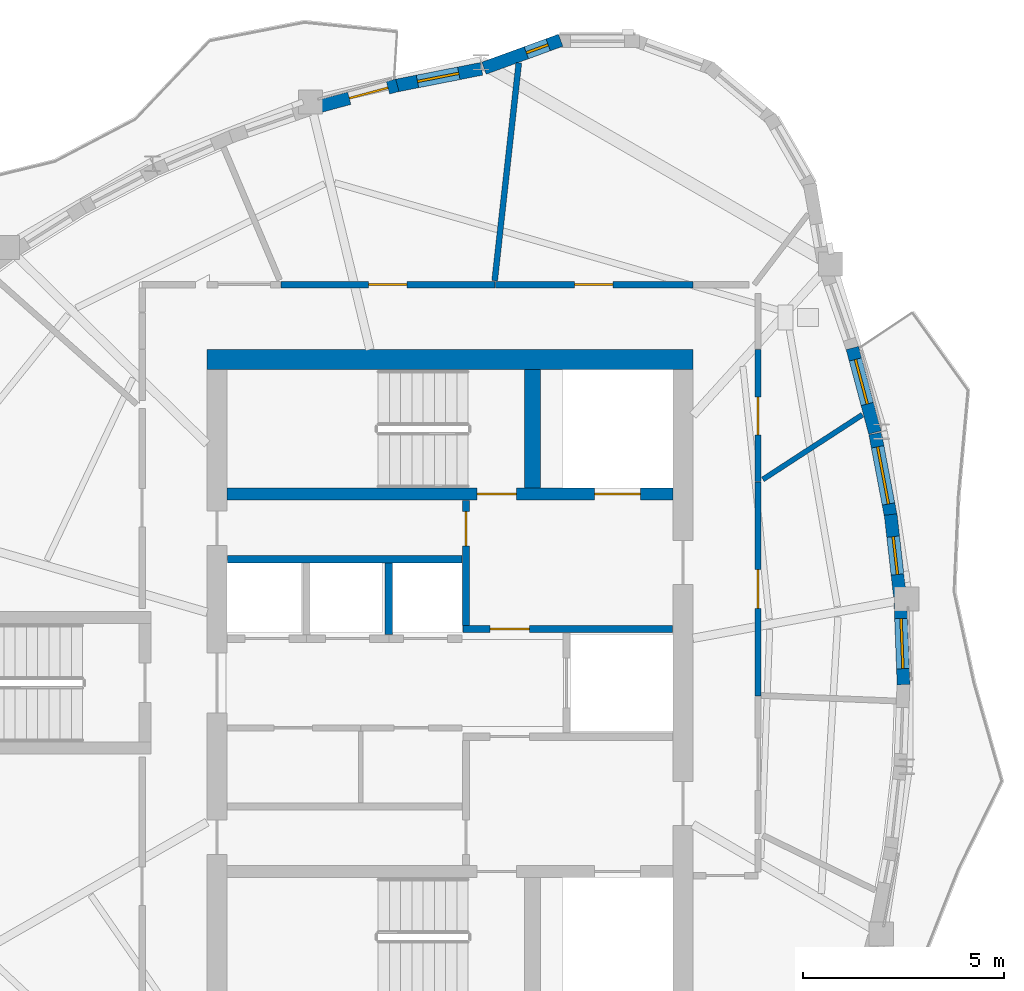
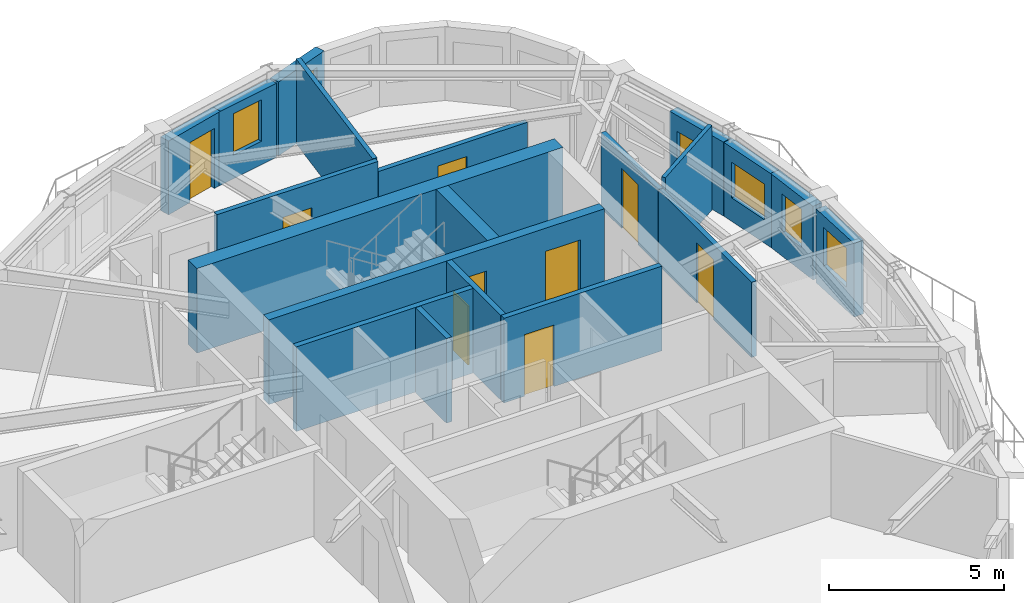
# One storey, part 6 of 11: 20 walls, 9 doors, 6 windows, 15 openings.
"""IFC4 building model written with IfcOpenShell, lengths in metres."""

import ifcopenshell
import ifcopenshell.guid

model = None  # the IFC model being written
_history = None  # IfcOwnerHistory: only IFC2X3 demands one
_inside = {}  # id of a spatial element -> (the spatial element, [elements in it])
_under = {}  # id of a project, library or spatial element -> (it, [spatial elements below it])
_declared = {}  # id of a project -> (the project, [libraries it declares])
_typed = {}  # id of a type object -> (the type object, [elements of that type])
_made_of = {}  # id of a material, layer set ... -> (it, [elements and type objects made of it])


def new_model(schema):
    """Start an empty IFC model of exactly this schema.

    Asked for "IFC4X3", IfcOpenShell would pick the latest addendum, in which some entities
    have other attributes; the version numbers below select the first issue.
    IFC2X3 requires an IfcOwnerHistory on every rooted entity: one is made here for all.
    """
    global model, _history
    if schema == "IFC4X3":
        model = ifcopenshell.file(schema_version=(4, 3, 0, 0))
    else:
        model = ifcopenshell.file(schema=schema)
    _inside.clear()
    _under.clear()
    _declared.clear()
    _typed.clear()
    _made_of.clear()
    _history = None
    if model.schema == "IFC2X3":
        org = make("IfcOrganization", Name="unknown")
        user = make(
            "IfcPersonAndOrganization",
            ThePerson=make("IfcPerson", FamilyName="unknown"),
            TheOrganization=org,
        )
        app = make(
            "IfcApplication",
            ApplicationDeveloper=org,
            Version="unknown",
            ApplicationFullName="unknown",
            ApplicationIdentifier="unknown",
        )
        _history = make(
            "IfcOwnerHistory",
            OwningUser=user,
            OwningApplication=app,
            ChangeAction="ADDED",
            CreationDate=0,
        )
    return model


def make(cls, **values):
    """One entity of the class cls with the attributes given. An attribute that is None is left unset."""
    return model.create_entity(
        cls, **{name: value for name, value in values.items() if value is not None}
    )


def rooted(cls, **values):
    """An entity with a GlobalId (a new one), such as an element, a storey or a relation."""
    return make(cls, GlobalId=ifcopenshell.guid.new(), OwnerHistory=_history, **values)


def si_unit(unit_type, name, prefix=None):
    """IfcSIUnit, for example si_unit("LENGTHUNIT", "METRE", prefix="MILLI")."""
    return make("IfcSIUnit", UnitType=unit_type, Prefix=prefix, Name=name)


def assignment(units):
    """IfcUnitAssignment: the units of a project."""
    return None if units is None else make("IfcUnitAssignment", Units=units)


def point(xyz):
    """IfcCartesianPoint."""
    return None if xyz is None else make("IfcCartesianPoint", Coordinates=xyz)


def direction(xyz):
    """IfcDirection."""
    return None if xyz is None else make("IfcDirection", DirectionRatios=xyz)


def frame(location, z_axis=None, x_axis=None):
    """IfcAxis2Placement3D, a coordinate frame: its origin and axes. An axis left out is left unset."""
    return make(
        "IfcAxis2Placement3D",
        Location=point(location),
        Axis=direction(z_axis),
        RefDirection=direction(x_axis),
    )


def frame_2d(location, x_axis=None):
    """IfcAxis2Placement2D, a coordinate frame in the plane: its origin and x axis."""
    return make(
        "IfcAxis2Placement2D", Location=point(location), RefDirection=direction(x_axis)
    )


def origin():
    """The frame at (0, 0, 0) with its axes left unset."""
    return frame((0.0, 0.0, 0.0))


def place(relative_to, where):
    """IfcLocalPlacement: puts the frame where relative to a parent placement (None: the world)."""
    return make(
        "IfcLocalPlacement", PlacementRelTo=relative_to, RelativePlacement=where
    )


def context(
    kind, dimensions, precision=None, world=None, true_north=None, identifier=None
):
    """IfcGeometricRepresentationContext, for example the 3D "Model" context."""
    return make(
        "IfcGeometricRepresentationContext",
        ContextIdentifier=identifier,
        ContextType=kind,
        CoordinateSpaceDimension=dimensions,
        Precision=precision,
        WorldCoordinateSystem=world,
        TrueNorth=true_north,
    )


def subcontext(parent, identifier, kind, view, scale=None):
    """IfcGeometricRepresentationSubContext, for example "Body" below "Model"."""
    return make(
        "IfcGeometricRepresentationSubContext",
        ContextIdentifier=identifier,
        ContextType=kind,
        ParentContext=parent,
        TargetScale=scale,
        TargetView=view,
    )


def project(units=None, contexts=None):
    """IfcProject with its units and contexts."""
    return rooted(
        "IfcProject",
        Name="project",
        RepresentationContexts=contexts,
        UnitsInContext=assignment(units),
    )


def spatial(cls, under=None, at=None, **own):
    """A site, building, storey or space (cls), placed at a placement, below another one or the project."""
    s = rooted(cls, ObjectPlacement=at, **own)
    if under is not None:
        _under.setdefault(under.id(), (under, []))[1].append(s)
    return s


def profile(cls, at=None, kind="AREA", **sizes):
    """A parametric profile (cls). Its sizes go by their IFC names, for example OverallWidth=200.0."""
    return make(cls, ProfileType=kind, Position=at, **sizes)


def rectangle(**sizes):
    """IfcRectangleProfileDef."""
    return profile("IfcRectangleProfileDef", **sizes)


def extrude(swept, where, along, depth):
    """IfcExtrudedAreaSolid: the profile swept, set in the frame where, extruded along a direction by depth."""
    return make(
        "IfcExtrudedAreaSolid",
        SweptArea=swept,
        Position=where,
        ExtrudedDirection=direction(along),
        Depth=depth,
    )


def shape(context_of_items, identifier, shape_type, items):
    """IfcShapeRepresentation: the items that make up one representation, for example the "Body"."""
    return make(
        "IfcShapeRepresentation",
        ContextOfItems=context_of_items,
        RepresentationIdentifier=identifier,
        RepresentationType=shape_type,
        Items=items,
    )


def source(mapping_origin, context_of_items, identifier, shape_type, items):
    """IfcRepresentationMap: a shape defined once, which mapped items show again and again."""
    return make(
        "IfcRepresentationMap",
        MappingOrigin=mapping_origin,
        MappedRepresentation=shape(context_of_items, identifier, shape_type, items),
    )


def transform(
    local_origin,
    x_axis=None,
    y_axis=None,
    z_axis=None,
    scale=None,
    scale2=None,
    scale3=None,
    uniform=True,
):
    """IfcCartesianTransformationOperator3D, or its non-uniform kind. x_axis, y_axis, z_axis: its Axis1, 2, 3."""
    if uniform:
        return make(
            "IfcCartesianTransformationOperator3D",
            Axis1=direction(x_axis),
            Axis2=direction(y_axis),
            LocalOrigin=point(local_origin),
            Scale=scale,
            Axis3=direction(z_axis),
        )
    return make(
        "IfcCartesianTransformationOperator3DnonUniform",
        Axis1=direction(x_axis),
        Axis2=direction(y_axis),
        LocalOrigin=point(local_origin),
        Scale=scale,
        Axis3=direction(z_axis),
        Scale2=scale2,
        Scale3=scale3,
    )


def mapped(mapping_source, mapping_target):
    """IfcMappedItem: shows the shape of a source again, moved by a transform."""
    return make(
        "IfcMappedItem", MappingSource=mapping_source, MappingTarget=mapping_target
    )


def material(Name=None, Category=None):
    """IfcMaterial."""
    return make("IfcMaterial", Name=Name, Category=Category)


def layer(
    of_material, thickness, ventilated=None, Name=None, Category=None, Priority=None
):
    """IfcMaterialLayer: one layer of a wall or slab, of a material (None: an air gap)."""
    return make(
        "IfcMaterialLayer",
        Material=of_material,
        LayerThickness=thickness,
        IsVentilated=ventilated,
        Name=Name,
        Category=Category,
        Priority=Priority,
    )


def layer_set(layers, Name=None):
    """IfcMaterialLayerSet."""
    return make("IfcMaterialLayerSet", MaterialLayers=layers, LayerSetName=Name)


def made_of(thing, what):
    """Note that an element or type object is made of a material, layer set ...; save() writes the relation."""
    if what is not None:
        _made_of.setdefault(what.id(), (what, []))[1].append(thing)
    return thing


def type_object(cls, material=None, **own):
    """A type object (cls), such as IfcWallType, which elements share."""
    return made_of(rooted(cls, **own), material)


def element(
    cls,
    number,
    at=None,
    inside=None,
    cuts=None,
    type_object=None,
    material=None,
    context=None,
    identifier="Body",
    shape_type=None,
    held_by="IfcProductDefinitionShape",
    body=None,
    shapes=None,
    **own,
):
    """One element of the class cls, such as IfcWall. Its Tag is "e" and its number.

    at: its placement. inside: the storey or other place that contains it. cuts: it is an
    opening in that element (IfcRelVoidsElement). A single representation is given by context,
    identifier, shape_type and body (its items); several are given by shapes. held_by: the class
    of the entity that holds the representations. save() writes the other relations.
    """
    e = rooted(cls, Tag="e%d" % number, ObjectPlacement=at, **own)
    if body is not None:
        shapes = [shape(context, identifier, shape_type, body)]
    if shapes is not None:
        e.Representation = make(held_by, Representations=shapes)
    if inside is not None:
        _inside.setdefault(inside.id(), (inside, []))[1].append(e)
    if cuts is not None:
        rooted(
            "IfcRelVoidsElement", RelatingBuildingElement=cuts, RelatedOpeningElement=e
        )
    if type_object is not None:
        _typed.setdefault(type_object.id(), (type_object, []))[1].append(e)
    return made_of(e, material)


def fill(opening, filler):
    """IfcRelFillsElement: the door or window that sits in an opening."""
    return rooted(
        "IfcRelFillsElement",
        RelatingOpeningElement=opening,
        RelatedBuildingElement=filler,
    )


def aggregate(whole, parts):
    """IfcRelAggregates: a whole, such as a stair, and the parts it consists of."""
    return rooted("IfcRelAggregates", RelatingObject=whole, RelatedObjects=parts)


def save(model, path):
    """Write the relations noted so far, then the file.

    IfcRelAggregates (storeys below a building ...), IfcRelContainedInSpatialStructure (elements
    in a storey), IfcRelDefinesByType, IfcRelAssociatesMaterial and IfcRelDeclares: one each for
    every whole, place, type object, material and project.
    """
    for whole, parts in _under.values():
        aggregate(whole, parts)
    for where, things in _inside.values():
        rooted(
            "IfcRelContainedInSpatialStructure",
            RelatedElements=things,
            RelatingStructure=where,
        )
    for kind, things in _typed.values():
        rooted("IfcRelDefinesByType", RelatedObjects=things, RelatingType=kind)
    for what, things in _made_of.values():
        rooted("IfcRelAssociatesMaterial", RelatedObjects=things, RelatingMaterial=what)
    for by, libraries in _declared.values():
        rooted("IfcRelDeclares", RelatingContext=by, RelatedDefinitions=libraries)
    model.write(path)


model = new_model("IFC4")

# Units and contexts
model_context = context("Model", 3, precision=1e-05, world=origin(), true_north=direction((0.0, 1.0)))
body_context = subcontext(model_context, "Body", "Model", "MODEL_VIEW")
ifc_project = project(units=[si_unit("LENGTHUNIT", "METRE"), si_unit("AREAUNIT", "SQUARE_METRE"), si_unit("VOLUMEUNIT", "CUBIC_METRE"), si_unit("PLANEANGLEUNIT", "RADIAN"), si_unit("MASSUNIT", "GRAM", prefix="KILO")], contexts=[model_context])

# Site, building, storey
site_placement = place(None, origin())
site = spatial("IfcSite", under=ifc_project, at=site_placement, CompositionType="ELEMENT")
building_placement = place(site_placement, origin())
building = spatial("IfcBuilding", under=site, at=building_placement, Name="Qafzar Sky-Pleat Residences", CompositionType="ELEMENT")
storey_placement = place(building_placement, frame((0.0, 0.0, 230.800048828125)))
storey = spatial("IfcBuildingStorey", under=building, at=storey_placement, Name="L69", CompositionType="ELEMENT", Elevation=230.800048828125)

# Wall, opening, door
ifc_material_1 = material(Name="Acoustic gypsum plasterboard partition", Category="gypsum")
ifc_layer_1 = layer(ifc_material_1, 0.159912109375)
ifc_layer_set_1 = layer_set([ifc_layer_1], Name="Acoustic gypsum plasterboard partition")
wall_type_1 = type_object("IfcWallType", Name="PART-COR-160", PredefinedType="PARTITIONING", material=ifc_layer_set_1)
wall_1_placement = place(storey_placement, frame((38.02001953125, 31.006103515625, 0.0), z_axis=(0.0, 0.0, 1.0), x_axis=(0.0, -1.0, 0.0)))
wall_1 = element("IfcWall", 1, at=wall_1_placement, inside=storey, type_object=wall_type_1, Name="L69 Partition Wall PART-L69-PW-002", PredefinedType="PARTITIONING", context=body_context, shape_type="SweptSolid", body=[
    extrude(rectangle(XDim=5.33203125, YDim=0.159912109375, at=frame_2d((2.666015625, 0.0))), origin(), (0.0, 0.0, 1.0), 2.6279296875),
])
opening_1_placement = place(wall_1_placement, frame((2.1875, 0.0, 0.0)))
opening_1 = element("IfcOpeningElement", 2, at=opening_1_placement, cuts=wall_1, Name="Opening ID-06", PredefinedType="OPENING", context=body_context, shape_type="SweptSolid", body=[
    extrude(rectangle(XDim=0.9599609375, YDim=2.10009765625, at=frame_2d((0.47998046875, 1.050048828125))), frame((0.0, 0.08984375, 0.0), z_axis=(0.0, -1.0, 0.0), x_axis=(1.0, 0.0, 0.0)), (0.0, 0.0, 1.0), 0.179931640625),
])
ifc_material_2 = material(Name="Timber-faced fire door", Category="wood")
door_type_1 = type_object("IfcDoorType", Name="DR-STD-960", OperationType="NOTDEFINED", PredefinedType="DOOR", material=ifc_material_2)
shared_shape_1 = source(origin(), body_context, "Body", "SweptSolid", [
    extrude(rectangle(XDim=0.9599609375, YDim=2.10009765625, at=frame_2d((0.47998046875, 1.050048828125))), frame((0.0, 0.02490234375, 0.0), z_axis=(0.0, -1.0, 0.0), x_axis=(1.0, 0.0, 0.0)), (0.0, 0.0, 1.0), 0.050048828125),
])
door_1_placement = place(opening_1_placement, origin())
door_1 = element("IfcDoor", 3, at=door_1_placement, inside=storey, type_object=door_type_1, Name="L69 Music Practice Room Door", OperationType="SINGLE_SWING_RIGHT", OverallHeight=2.10009765625, OverallWidth=0.9599609375, PredefinedType="DOOR", context=body_context, shape_type="MappedRepresentation", body=[
    mapped(shared_shape_1, transform((0.0, 0.0, 0.0), x_axis=(1.0, 0.0, 0.0), y_axis=(0.0, 1.0, 0.0), z_axis=(0.0, 0.0, 1.0), scale=1.0)),
])
fill(opening_1, door_1)

wall_2_placement = place(storey_placement, frame((26.137939453125, 35.919921875, 0.0), z_axis=(0.0, 0.0, 1.0), x_axis=(1.0, 0.0, 0.0)))
wall_2 = element("IfcWall", 4, at=wall_2_placement, inside=storey, type_object=wall_type_1, Name="L69 Partition Wall PART-L69-PW-003", PredefinedType="PARTITIONING", context=body_context, shape_type="SweptSolid", body=[
    extrude(rectangle(XDim=5.328125, YDim=0.159912109375, at=frame_2d((2.6640625, 0.0))), origin(), (0.0, 0.0, 1.0), 2.9599609375),
])
opening_2_placement = place(wall_2_placement, frame((2.1845703125, 0.0, 0.0)))
opening_2 = element("IfcOpeningElement", 5, at=opening_2_placement, cuts=wall_2, Name="Opening ID-06", PredefinedType="OPENING", context=body_context, shape_type="SweptSolid", body=[
    extrude(rectangle(XDim=0.9599609375, YDim=2.10009765625, at=frame_2d((0.47998046875, 1.050048828125))), frame((0.0, 0.08984375, 0.0), z_axis=(0.0, -1.0, 0.0), x_axis=(1.0, 0.0, 0.0)), (0.0, 0.0, 1.0), 0.179931640625),
])
door_2_placement = place(opening_2_placement, origin())
door_2 = element("IfcDoor", 6, at=door_2_placement, inside=storey, type_object=door_type_1, Name="L69 Media Screening Room Door", OperationType="SINGLE_SWING_LEFT", OverallHeight=2.10009765625, OverallWidth=0.9599609375, PredefinedType="DOOR", context=body_context, shape_type="MappedRepresentation", body=[
    mapped(shared_shape_1, transform((0.0, 0.0, 0.0), x_axis=(1.0, 0.0, 0.0), y_axis=(0.0, 1.0, 0.0), z_axis=(0.0, 0.0, 1.0), scale=1.0)),
])
fill(opening_2, door_2)

wall_3_placement = place(storey_placement, frame((31.48095703125, 35.919921875, 0.0), z_axis=(0.0, 0.0, 1.0), x_axis=(1.0, 0.0, 0.0)))
wall_3 = element("IfcWall", 7, at=wall_3_placement, inside=storey, type_object=wall_type_1, Name="L69 Partition Wall PART-L69-PW-005", PredefinedType="PARTITIONING", context=body_context, shape_type="SweptSolid", body=[
    extrude(rectangle(XDim=4.9189453125, YDim=0.159912109375, at=frame_2d((2.45947265625, 0.0))), origin(), (0.0, 0.0, 1.0), 2.597900390625),
])
opening_3_placement = place(wall_3_placement, frame((1.964599609375, 0.0, 0.0)))
opening_3 = element("IfcOpeningElement", 8, at=opening_3_placement, cuts=wall_3, Name="Opening ID-06", PredefinedType="OPENING", context=body_context, shape_type="SweptSolid", body=[
    extrude(rectangle(XDim=0.9599609375, YDim=2.10009765625, at=frame_2d((0.47998046875, 1.050048828125))), frame((0.0, 0.08984375, 0.0), z_axis=(0.0, -1.0, 0.0), x_axis=(1.0, 0.0, 0.0)), (0.0, 0.0, 1.0), 0.179931640625),
])
door_3_placement = place(opening_3_placement, origin())
door_3 = element("IfcDoor", 9, at=door_3_placement, inside=storey, type_object=door_type_1, Name="L69 Wellness Yoga Studio Door", OperationType="SINGLE_SWING_LEFT", OverallHeight=2.10009765625, OverallWidth=0.9599609375, PredefinedType="DOOR", context=body_context, shape_type="MappedRepresentation", body=[
    mapped(shared_shape_1, transform((0.0, 0.0, 0.0), x_axis=(1.0, 0.0, 0.0), y_axis=(0.0, 1.0, 0.0), z_axis=(0.0, 0.0, 1.0), scale=1.0)),
])
fill(opening_3, door_3)

wall_4_placement = place(storey_placement, frame((38.02001953125, 34.300048828125, 0.0), z_axis=(0.0, 0.0, 1.0), x_axis=(0.0, -1.0, 0.0)))
wall_4 = element("IfcWall", 10, at=wall_4_placement, inside=storey, type_object=wall_type_1, Name="L69 Partition Wall PART-L69-PW-007", PredefinedType="PARTITIONING", context=body_context, shape_type="SweptSolid", body=[
    extrude(rectangle(XDim=3.279052734375, YDim=0.159912109375, at=frame_2d((1.6396484375, 0.0))), origin(), (0.0, 0.0, 1.0), 2.6279296875),
])
opening_4_placement = place(wall_4_placement, frame((1.180908203125, 0.0, 0.0)))
opening_4 = element("IfcOpeningElement", 11, at=opening_4_placement, cuts=wall_4, Name="Opening ID-08", PredefinedType="OPENING", context=body_context, shape_type="SweptSolid", body=[
    extrude(rectangle(XDim=0.949951171875, YDim=2.10009765625, at=frame_2d((0.47509765625, 1.050048828125))), frame((0.0, 0.08984375, 0.0), z_axis=(0.0, -1.0, 0.0), x_axis=(1.0, 0.0, 0.0)), (0.0, 0.0, 1.0), 0.179931640625),
])
door_type_2 = type_object("IfcDoorType", Name="DR-AWC-950", OperationType="NOTDEFINED", PredefinedType="DOOR", material=ifc_material_2)
shared_shape_2 = source(origin(), body_context, "Body", "SweptSolid", [
    extrude(rectangle(XDim=0.949951171875, YDim=2.10009765625, at=frame_2d((0.47509765625, 1.050048828125))), frame((0.0, 0.02490234375, 0.0), z_axis=(0.0, -1.0, 0.0), x_axis=(1.0, 0.0, 0.0)), (0.0, 0.0, 1.0), 0.050048828125),
])
door_4_placement = place(opening_4_placement, origin())
door_4 = element("IfcDoor", 12, at=door_4_placement, inside=storey, type_object=door_type_2, Name="L69 Accessible Shared Washroom Door", OperationType="SINGLE_SWING_RIGHT", OverallHeight=2.10009765625, OverallWidth=0.949951171875, PredefinedType="DOOR", context=body_context, shape_type="MappedRepresentation", body=[
    mapped(shared_shape_2, transform((0.0, 0.0, 0.0), x_axis=(1.0, 0.0, 0.0), y_axis=(0.0, 1.0, 0.0), z_axis=(0.0, 0.0, 1.0), scale=1.0)),
])
fill(opening_4, door_4)

ifc_material_3 = material(Name="Concrete blockwork partition", Category="masonry")
ifc_layer_2 = layer(ifc_material_3, 0.179931640625)
ifc_layer_set_2 = layer_set([ifc_layer_2], Name="Concrete blockwork partition")
wall_type_2 = type_object("IfcWallType", Name="PART-SHAFT-180", PredefinedType="PARTITIONING", material=ifc_layer_set_2)
wall_5_placement = place(storey_placement, frame((30.75, 27.429931640625, 0.0), z_axis=(0.0, 0.0, 1.0), x_axis=(0.0, 1.0, 0.0)))
wall_5 = element("IfcWall", 13, at=wall_5_placement, inside=storey, type_object=wall_type_2, Name="L69 Partition Wall PART-L69-FFL2-W", PredefinedType="PARTITIONING", context=body_context, shape_type="SweptSolid", body=[
    extrude(rectangle(XDim=3.110107421875, YDim=0.179931640625, at=frame_2d((1.55517578125, 0.0))), origin(), (0.0, 0.0, 1.0), 2.9599609375),
])
opening_5_placement = place(wall_5_placement, frame((1.97998046875, 0.0, 0.0)))
opening_5 = element("IfcOpeningElement", 14, at=opening_5_placement, cuts=wall_5, Name="Opening ID-09", PredefinedType="OPENING", context=body_context, shape_type="SweptSolid", body=[
    extrude(rectangle(XDim=0.860107421875, YDim=2.050048828125, at=frame_2d((0.43017578125, 1.02490234375))), frame((0.0, 0.10009765625, 0.0), z_axis=(0.0, -1.0, 0.0), x_axis=(1.0, 0.0, 0.0)), (0.0, 0.0, 1.0), 0.199951171875),
])
door_type_3 = type_object("IfcDoorType", Name="DR-SVC-860", OperationType="NOTDEFINED", PredefinedType="DOOR", material=ifc_material_2)
shared_shape_3 = source(origin(), body_context, "Body", "SweptSolid", [
    extrude(rectangle(XDim=0.860107421875, YDim=2.050048828125, at=frame_2d((0.43017578125, 1.02490234375))), frame((0.0, 0.02490234375, 0.0), z_axis=(0.0, -1.0, 0.0), x_axis=(1.0, 0.0, 0.0)), (0.0, 0.0, 1.0), 0.050048828125),
])
door_5_placement = place(opening_5_placement, origin())
door_5 = element("IfcDoor", 15, at=door_5_placement, inside=storey, type_object=door_type_3, Name="L69 North Core Cupboard Door", OperationType="SINGLE_SWING_LEFT", OverallHeight=2.050048828125, OverallWidth=0.860107421875, PredefinedType="DOOR", context=body_context, shape_type="MappedRepresentation", body=[
    mapped(shared_shape_3, transform((0.0, 0.0, 0.0), x_axis=(1.0, 0.0, 0.0), y_axis=(0.0, 1.0, 0.0), z_axis=(0.0, 0.0, 1.0), scale=1.0)),
])
fill(opening_5, door_5)

wall_6_placement = place(storey_placement, frame((30.669921875, 27.340087890625, 0.0), z_axis=(0.0, 0.0, 1.0), x_axis=(1.0, 0.0, 0.0)))
wall_6 = element("IfcWall", 16, at=wall_6_placement, inside=storey, type_object=wall_type_2, Name="L69 Partition Wall PART-L69-FFL2-S", PredefinedType="PARTITIONING", context=body_context, shape_type="SweptSolid", body=[
    extrude(rectangle(XDim=5.219970703125, YDim=0.179931640625, at=frame_2d((2.60986328125, 0.0))), origin(), (0.0, 0.0, 1.0), 2.9599609375),
])
opening_6_placement = place(wall_6_placement, frame((0.679931640625, 0.0, 0.0)))
opening_6 = element("IfcOpeningElement", 17, at=opening_6_placement, cuts=wall_6, Name="Opening ID-01", PredefinedType="OPENING", context=body_context, shape_type="SweptSolid", body=[
    extrude(rectangle(XDim=0.97998046875, YDim=2.14990234375, at=frame_2d((0.489990234375, 1.074951171875))), frame((0.0, 0.10009765625, 0.0), z_axis=(0.0, -1.0, 0.0), x_axis=(1.0, 0.0, 0.0)), (0.0, 0.0, 1.0), 0.199951171875),
])
door_type_4 = type_object("IfcDoorType", Name="DR-STAIR-980", OperationType="NOTDEFINED", PredefinedType="DOOR", material=ifc_material_2)
shared_shape_4 = source(origin(), body_context, "Body", "SweptSolid", [
    extrude(rectangle(XDim=0.97998046875, YDim=2.14990234375, at=frame_2d((0.489990234375, 1.074951171875))), frame((0.0, 0.02490234375, 0.0), z_axis=(0.0, -1.0, 0.0), x_axis=(1.0, 0.0, 0.0)), (0.0, 0.0, 1.0), 0.050048828125),
])
door_6_placement = place(opening_6_placement, origin())
door_6 = element("IfcDoor", 18, at=door_6_placement, inside=storey, type_object=door_type_4, Name="L69 Lift Lobby to North Firefighting Lobby Door", OperationType="SINGLE_SWING_RIGHT", OverallHeight=2.14990234375, OverallWidth=0.97998046875, PredefinedType="DOOR", context=body_context, shape_type="MappedRepresentation", body=[
    mapped(shared_shape_4, transform((0.0, 0.0, 0.0), x_axis=(1.0, 0.0, 0.0), y_axis=(0.0, 1.0, 0.0), z_axis=(0.0, 0.0, 1.0), scale=1.0)),
])
fill(opening_6, door_6)

# Walls
wall_7_placement = place(storey_placement, frame((24.81005859375, 29.080078125, 0.0), z_axis=(0.0, 0.0, 1.0), x_axis=(1.0, 0.0, 0.0)))
element("IfcWall", 19, at=wall_7_placement, inside=storey, type_object=wall_type_2, Name="L69 Partition Wall PART-L69-P46-N", PredefinedType="PARTITIONING", context=body_context, shape_type="SweptSolid", body=[
    extrude(rectangle(XDim=5.83984375, YDim=0.179931640625, at=frame_2d((2.919921875, 0.0))), origin(), (0.0, 0.0, 1.0), 2.9599609375),
])
wall_8_placement = place(storey_placement, frame((28.824951171875, 27.199951171875, 0.0), z_axis=(0.0, 0.0, 1.0), x_axis=(0.0, 1.0, 0.0)))
element("IfcWall", 20, at=wall_8_placement, inside=storey, type_object=wall_type_2, Name="L69 Partition Wall PART-L69-P46-DIV-2", PredefinedType="PARTITIONING", context=body_context, shape_type="SweptSolid", body=[
    extrude(rectangle(XDim=1.780029296875, YDim=0.179931640625, at=frame_2d((0.89013671875, 0.0))), origin(), (0.0, 0.0, 1.0), 2.9599609375),
])
ifc_layer_3 = layer(ifc_material_1, 0.14501953125)
ifc_layer_set_3 = layer_set([ifc_layer_3], Name="Acoustic gypsum plasterboard partition")
wall_type_3 = type_object("IfcWallType", Name="PART-UNIT-145", PredefinedType="PARTITIONING", material=ifc_layer_set_3)
wall_9_placement = place(storey_placement, frame((31.461669921875, 36.015869140625, 0.0), z_axis=(0.0, 0.0, 1.0), x_axis=(0.11018132109, 0.993911503346, 0.0)))
element("IfcWall", 21, at=wall_9_placement, inside=storey, type_object=wall_type_3, Name="L69 Partition Wall PART-L69-PW-012", PredefinedType="PARTITIONING", context=body_context, shape_type="SweptSolid", body=[
    extrude(rectangle(XDim=5.4619140625, YDim=0.14501953125, at=frame_2d((2.73095703125, 0.0))), origin(), (0.0, 0.0, 1.0), 2.9599609375),
])
ifc_material_4 = material(Name="Moisture-resistant gypsum partition", Category="gypsum")
ifc_layer_4 = layer(ifc_material_4, 0.1298828125)
ifc_layer_set_4 = layer_set([ifc_layer_4], Name="Moisture-resistant gypsum partition")
wall_type_4 = type_object("IfcWallType", Name="PART-WET-130", PredefinedType="PARTITIONING", material=ifc_layer_set_4)
wall_10_placement = place(storey_placement, frame((38.14208984375, 31.0673828125, 0.0), z_axis=(0.0, 0.0, 1.0), x_axis=(0.838351109823, 0.545130641827, 0.0)))
element("IfcWall", 22, at=wall_10_placement, inside=storey, type_object=wall_type_4, Name="L69 Partition Wall PART-L69-PW-019", PredefinedType="PARTITIONING", context=body_context, shape_type="SweptSolid", body=[
    extrude(rectangle(XDim=2.955078125, YDim=0.1298828125, at=frame_2d((1.4775390625, 0.0))), origin(), (0.0, 0.0, 1.0), 2.9599609375),
])

# Wall, opening, window
ifc_material_5 = material(Name="Precast concrete C40/50 with honed Riyadh limestone", Category="concrete")
ifc_layer_5 = layer(ifc_material_5, 0.320068359375)
ifc_layer_set_5 = layer_set([ifc_layer_5], Name="Precast concrete C40/50 with honed Riyadh limestone")
wall_type_5 = type_object("IfcWallType", Name="WALL-EXT-320", PredefinedType="SOLIDWALL", material=ifc_layer_set_5)
wall_11_placement = place(storey_placement, frame((41.64599609375, 25.9560546875, 0.0), z_axis=(0.0, 0.0, 1.0), x_axis=(-0.038018581285, 0.999277032397, 0.0)))
wall_11 = element("IfcWall", 23, at=wall_11_placement, inside=storey, type_object=wall_type_5, Name="L69 Limestone Facade Wall 28", PredefinedType="SOLIDWALL", context=body_context, shape_type="SweptSolid", body=[
    extrude(rectangle(XDim=2.03564453125, YDim=0.320068359375, at=frame_2d((1.017822265625, 0.0))), origin(), (0.0, 0.0, 1.0), 2.579833984375),
])
opening_7_placement = place(wall_11_placement, frame((0.39794921875, 0.0, 0.820068359375)))
opening_7 = element("IfcOpeningElement", 24, at=opening_7_placement, cuts=wall_11, Name="Opening WN-11", PredefinedType="OPENING", context=body_context, shape_type="SweptSolid", body=[
    extrude(rectangle(XDim=1.25, YDim=1.35009765625, at=frame_2d((0.625, 0.675048828125))), frame((0.0, 0.169921875, 0.0), z_axis=(0.0, -1.0, 0.0), x_axis=(1.0, 0.0, 0.0)), (0.0, 0.0, 1.0), 0.340087890625),
])
ifc_material_6 = material(Name="Solar-control low-E glass in bronze aluminium frame", Category="glass")
window_type_1 = type_object("IfcWindowType", Name="WIN-11", PartitioningType="SINGLE_PANEL", PredefinedType="WINDOW", material=ifc_material_6)
shared_shape_5 = source(origin(), body_context, "Body", "SweptSolid", [
    extrude(rectangle(XDim=1.25, YDim=1.35009765625, at=frame_2d((0.625, 0.675048828125))), frame((0.0, 0.030029296875, 0.0), z_axis=(0.0, -1.0, 0.0), x_axis=(1.0, 0.0, 0.0)), (0.0, 0.0, 1.0), 0.06005859375),
])
window_1_placement = place(opening_7_placement, origin())
window_1 = element("IfcWindow", 25, at=window_1_placement, inside=storey, type_object=window_type_1, Name="L69 Punched Facade Window 28", OverallHeight=1.35009765625, OverallWidth=1.25, PartitioningType="SINGLE_PANEL", PredefinedType="WINDOW", context=body_context, shape_type="MappedRepresentation", body=[
    mapped(shared_shape_5, transform((0.0, 0.0, 0.0), x_axis=(1.0, 0.0, 0.0), y_axis=(0.0, 1.0, 0.0), z_axis=(0.0, 0.0, 1.0), scale=1.0)),
])
fill(opening_7, window_1)

wall_12_placement = place(storey_placement, frame((41.555908203125, 28.15771484375, 0.0), z_axis=(0.0, 0.0, 1.0), x_axis=(-0.113270843693, 0.993564147888, 0.0)))
wall_12 = element("IfcWall", 26, at=wall_12_placement, inside=storey, type_object=wall_type_5, Name="L69 Limestone Facade Wall 29", PredefinedType="SOLIDWALL", context=body_context, shape_type="SweptSolid", body=[
    extrude(rectangle(XDim=2.047607421875, YDim=0.320068359375, at=frame_2d((1.02392578125, 0.0))), origin(), (0.0, 0.0, 1.0), 2.579833984375),
])
opening_8_placement = place(wall_12_placement, frame((0.5439453125, 0.0, 0.820068359375)))
opening_8 = element("IfcOpeningElement", 27, at=opening_8_placement, cuts=wall_12, Name="Opening WN-12", PredefinedType="OPENING", context=body_context, shape_type="SweptSolid", body=[
    extrude(rectangle(XDim=0.949951171875, YDim=1.35009765625, at=frame_2d((0.47509765625, 0.675048828125))), frame((0.0, 0.169921875, 0.0), z_axis=(0.0, -1.0, 0.0), x_axis=(1.0, 0.0, 0.0)), (0.0, 0.0, 1.0), 0.340087890625),
])
window_type_2 = type_object("IfcWindowType", Name="WIN-12", PartitioningType="SINGLE_PANEL", PredefinedType="WINDOW", material=ifc_material_6)
shared_shape_6 = source(origin(), body_context, "Body", "SweptSolid", [
    extrude(rectangle(XDim=0.949951171875, YDim=1.35009765625, at=frame_2d((0.47509765625, 0.675048828125))), frame((0.0, 0.030029296875, 0.0), z_axis=(0.0, -1.0, 0.0), x_axis=(1.0, 0.0, 0.0)), (0.0, 0.0, 1.0), 0.06005859375),
])
window_2_placement = place(opening_8_placement, origin())
window_2 = element("IfcWindow", 28, at=window_2_placement, inside=storey, type_object=window_type_2, Name="L69 Punched Facade Window 29", OverallHeight=1.35009765625, OverallWidth=0.949951171875, PartitioningType="SINGLE_PANEL", PredefinedType="WINDOW", context=body_context, shape_type="MappedRepresentation", body=[
    mapped(shared_shape_6, transform((0.0, 0.0, 0.0), x_axis=(1.0, 0.0, 0.0), y_axis=(0.0, 1.0, 0.0), z_axis=(0.0, 0.0, 1.0), scale=1.0)),
])
fill(opening_8, window_2)

wall_13_placement = place(storey_placement, frame((41.337158203125, 30.105224609375, 0.0), z_axis=(0.0, 0.0, 1.0), x_axis=(-0.186614434744, 0.98243323068, 0.0)))
wall_13 = element("IfcWall", 29, at=wall_13_placement, inside=storey, type_object=wall_type_5, Name="L69 Limestone Facade Wall 30", PredefinedType="SOLIDWALL", context=body_context, shape_type="SweptSolid", body=[
    extrude(rectangle(XDim=2.1416015625, YDim=0.320068359375, at=frame_2d((1.07080078125, 0.0))), origin(), (0.0, 0.0, 1.0), 2.579833984375),
])
opening_9_placement = place(wall_13_placement, frame((0.355712890625, 0.0, 0.820068359375)))
opening_9 = element("IfcOpeningElement", 30, at=opening_9_placement, cuts=wall_13, Name="Opening WN-15", PredefinedType="OPENING", context=body_context, shape_type="SweptSolid", body=[
    extrude(rectangle(XDim=1.449951171875, YDim=1.25, at=frame_2d((0.72509765625, 0.625))), frame((0.0, 0.169921875, 0.0), z_axis=(0.0, -1.0, 0.0), x_axis=(1.0, 0.0, 0.0)), (0.0, 0.0, 1.0), 0.340087890625),
])
window_type_3 = type_object("IfcWindowType", Name="WIN-15", PartitioningType="SINGLE_PANEL", PredefinedType="WINDOW", material=ifc_material_6)
shared_shape_7 = source(origin(), body_context, "Body", "SweptSolid", [
    extrude(rectangle(XDim=1.449951171875, YDim=1.25, at=frame_2d((0.72509765625, 0.625))), frame((0.0, 0.030029296875, 0.0), z_axis=(0.0, -1.0, 0.0), x_axis=(1.0, 0.0, 0.0)), (0.0, 0.0, 1.0), 0.06005859375),
])
window_3_placement = place(opening_9_placement, origin())
window_3 = element("IfcWindow", 31, at=window_3_placement, inside=storey, type_object=window_type_3, Name="L69 Punched Facade Window 30", OverallHeight=1.25, OverallWidth=1.449951171875, PartitioningType="SINGLE_PANEL", PredefinedType="WINDOW", context=body_context, shape_type="MappedRepresentation", body=[
    mapped(shared_shape_7, transform((0.0, 0.0, 0.0), x_axis=(1.0, 0.0, 0.0), y_axis=(0.0, 1.0, 0.0), z_axis=(0.0, 0.0, 1.0), scale=1.0)),
])
fill(opening_9, window_3)

wall_14_placement = place(storey_placement, frame((40.93115234375, 32.237060546875, 0.0), z_axis=(0.0, 0.0, 1.0), x_axis=(-0.257076193941, 0.966391137433, 0.0)))
wall_14 = element("IfcWall", 32, at=wall_14_placement, inside=storey, type_object=wall_type_5, Name="L69 Limestone Facade Wall 31", PredefinedType="SOLIDWALL", context=body_context, shape_type="SweptSolid", body=[
    extrude(rectangle(XDim=2.1767578125, YDim=0.320068359375, at=frame_2d((1.08837890625, 0.0))), origin(), (0.0, 0.0, 1.0), 2.579833984375),
])
opening_10_placement = place(wall_14_placement, frame((0.73291015625, 0.0, 0.820068359375)))
opening_10 = element("IfcOpeningElement", 33, at=opening_10_placement, cuts=wall_14, Name="Opening WN-16", PredefinedType="OPENING", context=body_context, shape_type="SweptSolid", body=[
    extrude(rectangle(XDim=1.14990234375, YDim=1.199951171875, at=frame_2d((0.574951171875, 0.60009765625))), frame((0.0, 0.169921875, 0.0), z_axis=(0.0, -1.0, 0.0), x_axis=(1.0, 0.0, 0.0)), (0.0, 0.0, 1.0), 0.340087890625),
])
window_type_4 = type_object("IfcWindowType", Name="WIN-16", PartitioningType="SINGLE_PANEL", PredefinedType="WINDOW", material=ifc_material_6)
shared_shape_8 = source(origin(), body_context, "Body", "SweptSolid", [
    extrude(rectangle(XDim=1.14990234375, YDim=1.199951171875, at=frame_2d((0.574951171875, 0.60009765625))), frame((0.0, 0.030029296875, 0.0), z_axis=(0.0, -1.0, 0.0), x_axis=(1.0, 0.0, 0.0)), (0.0, 0.0, 1.0), 0.06005859375),
])
window_4_placement = place(opening_10_placement, origin())
window_4 = element("IfcWindow", 34, at=window_4_placement, inside=storey, type_object=window_type_4, Name="L69 Punched Facade Window 31-2", OverallHeight=1.199951171875, OverallWidth=1.14990234375, PartitioningType="SINGLE_PANEL", PredefinedType="WINDOW", context=body_context, shape_type="MappedRepresentation", body=[
    mapped(shared_shape_8, transform((0.0, 0.0, 0.0), x_axis=(1.0, 0.0, 0.0), y_axis=(0.0, 1.0, 0.0), z_axis=(0.0, 0.0, 1.0), scale=1.0)),
])
fill(opening_10, window_4)

wall_15_placement = place(storey_placement, frame((33.105712890625, 42.005859375, 0.0), z_axis=(0.0, 0.0, 1.0), x_axis=(-0.939691662178, -0.342022777067, 0.0)))
wall_15 = element("IfcWall", 35, at=wall_15_placement, inside=storey, type_object=wall_type_5, Name="L69 Limestone Facade Wall 38", PredefinedType="SOLIDWALL", context=body_context, shape_type="SweptSolid", body=[
    extrude(rectangle(XDim=2.0322265625, YDim=0.320068359375, at=frame_2d((1.01611328125, 0.0))), origin(), (0.0, 0.0, 1.0), 2.579833984375),
])
opening_11_placement = place(wall_15_placement, frame((0.330322265625, 0.0, 0.820068359375)))
opening_11 = element("IfcOpeningElement", 36, at=opening_11_placement, cuts=wall_15, Name="Opening WN-17", PredefinedType="OPENING", context=body_context, shape_type="SweptSolid", body=[
    extrude(rectangle(XDim=0.580078125, YDim=1.35009765625, at=frame_2d((0.2900390625, 0.675048828125))), frame((0.0, 0.169921875, 0.0), z_axis=(0.0, -1.0, 0.0), x_axis=(1.0, 0.0, 0.0)), (0.0, 0.0, 1.0), 0.340087890625),
])
window_type_5 = type_object("IfcWindowType", Name="WIN-17", PartitioningType="SINGLE_PANEL", PredefinedType="WINDOW", material=ifc_material_6)
shared_shape_9 = source(origin(), body_context, "Body", "SweptSolid", [
    extrude(rectangle(XDim=0.580078125, YDim=1.35009765625, at=frame_2d((0.2900390625, 0.675048828125))), frame((0.0, 0.030029296875, 0.0), z_axis=(0.0, -1.0, 0.0), x_axis=(1.0, 0.0, 0.0)), (0.0, 0.0, 1.0), 0.06005859375),
])
window_5_placement = place(opening_11_placement, origin())
window_5 = element("IfcWindow", 37, at=window_5_placement, inside=storey, type_object=window_type_5, Name="L69 Punched Facade Window 38", OverallHeight=1.35009765625, OverallWidth=0.580078125, PartitioningType="SINGLE_PANEL", PredefinedType="WINDOW", context=body_context, shape_type="MappedRepresentation", body=[
    mapped(shared_shape_9, transform((0.0, 0.0, 0.0), x_axis=(1.0, 0.0, 0.0), y_axis=(0.0, 1.0, 0.0), z_axis=(0.0, 0.0, 1.0), scale=1.0)),
])
fill(opening_11, window_5)

wall_16_placement = place(storey_placement, frame((31.1337890625, 41.293212890625, 0.0), z_axis=(0.0, 0.0, 1.0), x_axis=(-0.981246594798, -0.19275663464, 0.0)))
wall_16 = element("IfcWall", 38, at=wall_16_placement, inside=storey, type_object=wall_type_5, Name="L69 Limestone Facade Wall 39", PredefinedType="SOLIDWALL", context=body_context, shape_type="SweptSolid", body=[
    extrude(rectangle(XDim=2.222900390625, YDim=0.320068359375, at=frame_2d((1.111328125, 0.0))), origin(), (0.0, 0.0, 1.0), 2.579833984375),
])
opening_12_placement = place(wall_16_placement, frame((0.576416015625, 0.0, 0.820068359375)))
opening_12 = element("IfcOpeningElement", 39, at=opening_12_placement, cuts=wall_16, Name="Opening WN-06", PredefinedType="OPENING", context=body_context, shape_type="SweptSolid", body=[
    extrude(rectangle(XDim=1.050048828125, YDim=1.449951171875, at=frame_2d((0.52490234375, 0.72509765625))), frame((0.0, 0.169921875, 0.0), z_axis=(0.0, -1.0, 0.0), x_axis=(1.0, 0.0, 0.0)), (0.0, 0.0, 1.0), 0.340087890625),
])
window_type_6 = type_object("IfcWindowType", Name="WIN-06", PartitioningType="SINGLE_PANEL", PredefinedType="WINDOW", material=ifc_material_6)
shared_shape_10 = source(origin(), body_context, "Body", "SweptSolid", [
    extrude(rectangle(XDim=1.050048828125, YDim=1.449951171875, at=frame_2d((0.52490234375, 0.72509765625))), frame((0.0, 0.030029296875, 0.0), z_axis=(0.0, -1.0, 0.0), x_axis=(1.0, 0.0, 0.0)), (0.0, 0.0, 1.0), 0.06005859375),
])
window_6_placement = place(opening_12_placement, origin())
window_6 = element("IfcWindow", 40, at=window_6_placement, inside=storey, type_object=window_type_6, Name="L69 Punched Facade Window 39", OverallHeight=1.449951171875, OverallWidth=1.050048828125, PartitioningType="SINGLE_PANEL", PredefinedType="WINDOW", context=body_context, shape_type="MappedRepresentation", body=[
    mapped(shared_shape_10, transform((0.0, 0.0, 0.0), x_axis=(1.0, 0.0, 0.0), y_axis=(0.0, 1.0, 0.0), z_axis=(0.0, 0.0, 1.0), scale=1.0)),
])
fill(opening_12, window_6)

# Wall, opening, door
wall_17_placement = place(storey_placement, frame((29.037353515625, 40.884521484375, 0.0), z_axis=(0.0, 0.0, 1.0), x_axis=(-0.965439872052, -0.260625887918, 0.0)))
wall_17 = element("IfcWall", 41, at=wall_17_placement, inside=storey, type_object=wall_type_5, Name="L69 Limestone Facade Wall 40", PredefinedType="SOLIDWALL", context=body_context, shape_type="SweptSolid", body=[
    extrude(rectangle(XDim=2.106689453125, YDim=0.320068359375, at=frame_2d((1.05322265625, 0.0))), origin(), (0.0, 0.0, 1.0), 2.579833984375),
])
opening_13_placement = place(wall_17_placement, frame((0.239990234375, 0.0, 0.0)))
opening_13 = element("IfcOpeningElement", 42, at=opening_13_placement, cuts=wall_17, Name="Opening ED-05", PredefinedType="OPENING", context=body_context, shape_type="SweptSolid", body=[
    extrude(rectangle(XDim=1.0, YDim=2.10009765625, at=frame_2d((0.5, 1.050048828125))), frame((0.0, 0.169921875, 0.0), z_axis=(0.0, -1.0, 0.0), x_axis=(1.0, 0.0, 0.0)), (0.0, 0.0, 1.0), 0.340087890625),
])
ifc_material_7 = material(Name="Glazed bronze aluminium door", Category="aluminium")
door_type_5 = type_object("IfcDoorType", Name="DR-BAL-1000", OperationType="NOTDEFINED", PredefinedType="DOOR", material=ifc_material_7)
shared_shape_11 = source(origin(), body_context, "Body", "SweptSolid", [
    extrude(rectangle(XDim=1.0, YDim=2.10009765625, at=frame_2d((0.5, 1.050048828125))), frame((0.0, 0.02490234375, 0.0), z_axis=(0.0, -1.0, 0.0), x_axis=(1.0, 0.0, 0.0)), (0.0, 0.0, 1.0), 0.050048828125),
])
door_7_placement = place(opening_13_placement, origin())
door_7 = element("IfcDoor", 43, at=door_7_placement, inside=storey, type_object=door_type_5, Name="L69 Glazed Balcony Door 2", OperationType="SINGLE_SWING_LEFT", OverallHeight=2.10009765625, OverallWidth=1.0, PredefinedType="DOOR", context=body_context, shape_type="MappedRepresentation", body=[
    mapped(shared_shape_11, transform((0.0, 0.0, 0.0), x_axis=(1.0, 0.0, 0.0), y_axis=(0.0, 1.0, 0.0), z_axis=(0.0, 0.0, 1.0), scale=1.0)),
])
fill(opening_13, door_7)

# Wall, openings, doors
ifc_material_8 = material(Name="Concrete C60/75", Category="concrete")
ifc_layer_6 = layer(ifc_material_8, 0.300048828125)
ifc_layer_set_6 = layer_set([ifc_layer_6], Name="Concrete C60/75")
wall_type_6 = type_object("IfcWallType", Name="WALL-SHEAR-300", PredefinedType="SHEAR", material=ifc_layer_set_6)
wall_18_placement = place(storey_placement, frame((24.800048828125, 30.699951171875, 0.0), z_axis=(0.0, 0.0, 1.0), x_axis=(1.0, 0.0, 0.0)))
wall_18 = element("IfcWall", 44, at=wall_18_placement, inside=storey, type_object=wall_type_6, Name="L69 Stair ST2 and FF2 Shaft South Wall", PredefinedType="SHEAR", context=body_context, shape_type="SweptSolid", body=[
    extrude(rectangle(XDim=11.099853515625, YDim=0.300048828125, at=frame_2d((5.5498046875, 0.0))), origin(), (0.0, 0.0, 1.0), 2.9599609375),
])
opening_14_placement = place(wall_18_placement, frame((6.219970703125, 0.0, 0.0)))
opening_14 = element("IfcOpeningElement", 45, at=opening_14_placement, cuts=wall_18, Name="Opening ID-01", PredefinedType="OPENING", context=body_context, shape_type="SweptSolid", body=[
    extrude(rectangle(XDim=0.97998046875, YDim=2.14990234375, at=frame_2d((0.489990234375, 1.074951171875))), frame((0.0, 0.16015625, 0.0), z_axis=(0.0, -1.0, 0.0), x_axis=(1.0, 0.0, 0.0)), (0.0, 0.0, 1.0), 0.320068359375),
])
opening_15_placement = place(wall_18_placement, frame((9.14990234375, 0.0, 0.0)))
opening_15 = element("IfcOpeningElement", 46, at=opening_15_placement, cuts=wall_18, Name="Opening LD-02", PredefinedType="OPENING", context=body_context, shape_type="SweptSolid", body=[
    extrude(rectangle(XDim=1.14990234375, YDim=2.14990234375, at=frame_2d((0.574951171875, 1.074951171875))), frame((0.0, 0.16015625, 0.0), z_axis=(0.0, -1.0, 0.0), x_axis=(1.0, 0.0, 0.0)), (0.0, 0.0, 1.0), 0.320068359375),
])
door_8_placement = place(opening_14_placement, origin())
door_8 = element("IfcDoor", 47, at=door_8_placement, inside=storey, type_object=door_type_4, Name="L69 Stair ST2 Fire Door", OperationType="SINGLE_SWING_LEFT", OverallHeight=2.14990234375, OverallWidth=0.97998046875, PredefinedType="DOOR", context=body_context, shape_type="MappedRepresentation", body=[
    mapped(shared_shape_4, transform((0.0, 0.0, 0.0), x_axis=(1.0, 0.0, 0.0), y_axis=(0.0, 1.0, 0.0), z_axis=(0.0, 0.0, 1.0), scale=1.0)),
])
fill(opening_14, door_8)
ifc_material_9 = material(Name="Stainless steel sliding landing door", Category="steel")
door_type_6 = type_object("IfcDoorType", Name="DR-LIFT-FF", OperationType="DOUBLE_DOOR_SLIDING", PredefinedType="DOOR", material=ifc_material_9)
shared_shape_12 = source(origin(), body_context, "Body", "SweptSolid", [
    extrude(rectangle(XDim=1.14990234375, YDim=2.14990234375, at=frame_2d((0.574951171875, 1.074951171875))), frame((0.0, 0.02490234375, 0.0), z_axis=(0.0, -1.0, 0.0), x_axis=(1.0, 0.0, 0.0)), (0.0, 0.0, 1.0), 0.050048828125),
])
door_9_placement = place(opening_15_placement, origin())
door_9 = element("IfcDoor", 48, at=door_9_placement, inside=storey, type_object=door_type_6, Name="L69 Firefighting Lift FF2 Landing Door", OperationType="DOUBLE_DOOR_SLIDING", OverallHeight=2.14990234375, OverallWidth=1.14990234375, PredefinedType="DOOR", context=body_context, shape_type="MappedRepresentation", body=[
    mapped(shared_shape_12, transform((0.0, 0.0, 0.0), x_axis=(1.0, 0.0, 0.0), y_axis=(0.0, 1.0, 0.0), z_axis=(0.0, 0.0, 1.0), scale=1.0)),
])
fill(opening_15, door_9)

# Walls
ifc_layer_7 = layer(ifc_material_8, 0.39990234375)
ifc_layer_set_7 = layer_set([ifc_layer_7], Name="Concrete C60/75")
wall_type_7 = type_object("IfcWallType", Name="WALL-SHEAR-400", PredefinedType="SHEAR", material=ifc_layer_set_7)
wall_19_placement = place(storey_placement, frame((32.39990234375, 30.85009765625, 0.0), z_axis=(0.0, 0.0, 1.0), x_axis=(0.0, 1.0, 0.0)))
element("IfcWall", 49, at=wall_19_placement, inside=storey, type_object=wall_type_7, Name="L69 Stair ST2 East Dividing Wall", PredefinedType="SHEAR", context=body_context, shape_type="SweptSolid", body=[
    extrude(rectangle(XDim=2.949951171875, YDim=0.39990234375, at=frame_2d((1.47509765625, 0.0))), origin(), (0.0, 0.0, 1.0), 2.9599609375),
])
ifc_layer_8 = layer(ifc_material_8, 0.5)
ifc_layer_set_8 = layer_set([ifc_layer_8], Name="Concrete C60/75")
wall_type_8 = type_object("IfcWallType", Name="WALL-SHEAR-500", PredefinedType="SHEAR", material=ifc_layer_set_8)
wall_20_placement = place(storey_placement, frame((36.39990234375, 34.050048828125, 0.0), z_axis=(0.0, 0.0, 1.0), x_axis=(-1.0, 0.0, 0.0)))
element("IfcWall", 50, at=wall_20_placement, inside=storey, type_object=wall_type_8, Name="L69 CORE wall N", PredefinedType="SHEAR", context=body_context, shape_type="SweptSolid", body=[
    extrude(rectangle(XDim=12.099853515625, YDim=0.5, at=frame_2d((6.0498046875, 0.0))), origin(), (0.0, 0.0, 1.0), 2.9599609375),
])

save(model, "model.ifc")
